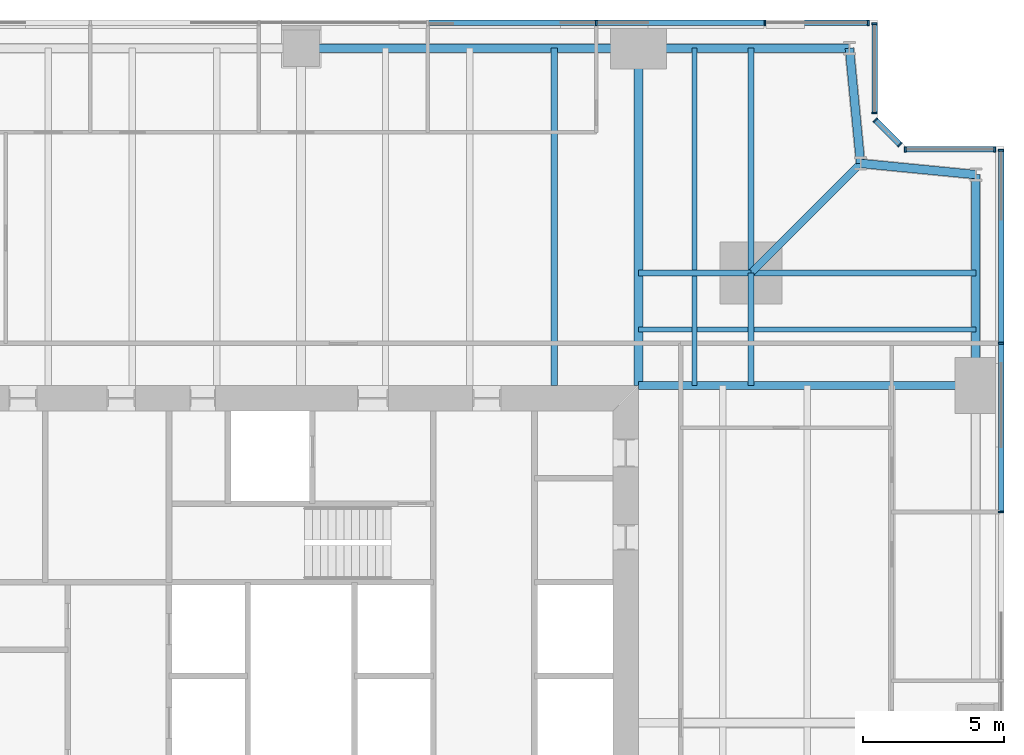
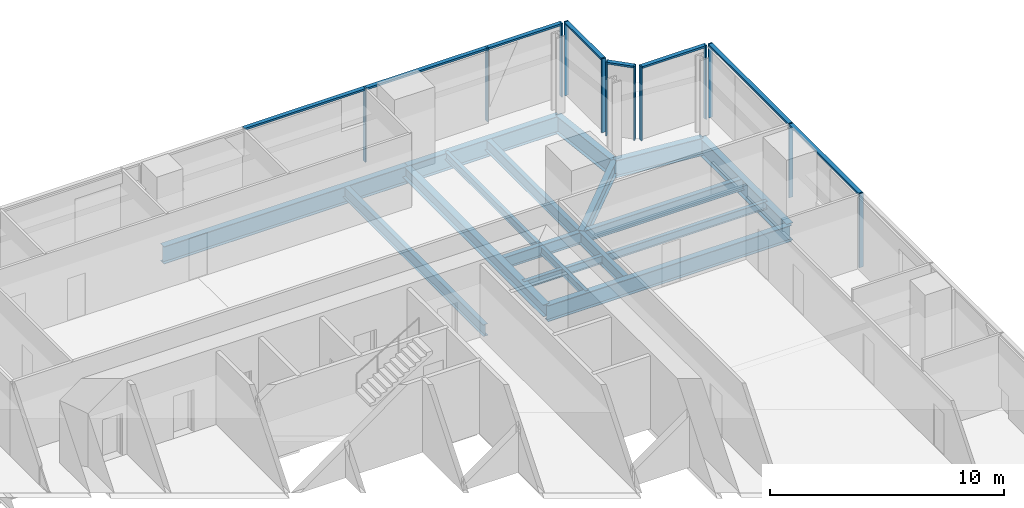
# One storey, part 7 of 14: 20 members, 18 beams, 5 elements without a shape of their own.
"""IFC4 building model written with IfcOpenShell, lengths in metres."""

from ifc_helpers import new_model, si_unit, direction, frame, origin, origin_2d, place, context, subcontext, project, spatial, rectangle, i_section, extrude, material, material_profile, profile_set, type_object, element, aggregate, save


model = new_model("IFC4")

# Units and contexts
model_context = context("Model", 3, precision=1e-05, world=origin(), true_north=direction((0.0, 1.0)))
body_context = subcontext(model_context, "Body", "Model", "MODEL_VIEW")
ifc_project = project(units=[si_unit("LENGTHUNIT", "METRE"), si_unit("AREAUNIT", "SQUARE_METRE"), si_unit("VOLUMEUNIT", "CUBIC_METRE"), si_unit("PLANEANGLEUNIT", "RADIAN"), si_unit("MASSUNIT", "GRAM", prefix="KILO")], contexts=[model_context])

# Site, building, storey
site_placement = place(None, origin())
site = spatial("IfcSite", under=ifc_project, at=site_placement, CompositionType="ELEMENT")
building_placement = place(site_placement, origin())
building = spatial("IfcBuilding", under=site, at=building_placement, Name="Fenwick Lantern Interchange", CompositionType="ELEMENT")
storey_placement = place(building_placement, frame((0.0, 0.0, 134.39990234375)))
storey = spatial("IfcBuildingStorey", under=building, at=storey_placement, Name="L31", CompositionType="ELEMENT", Elevation=134.39990234375)

# Beams
ifc_material_1 = material(Name="Steel ASTM A992 Grade 50", Category="steel")
ifc_material_profile_1 = material_profile(ifc_material_1, i_section(OverallWidth=0.3046875, OverallDepth=0.911865234375, WebThickness=0.015869140625, FlangeThickness=0.02392578125, at=origin_2d()), Name="W36X150")
ifc_profile_set_1 = profile_set([ifc_material_profile_1], Name="Steel ASTM A992 Grade 50")
beam_type_1 = type_object("IfcBeamType", Name="EDGE BEAM W36X150", PredefinedType="SPANDREL", material=ifc_profile_set_1)
beam_1_placement = place(storey_placement, frame((49.0, 37.0, -0.605712890625), z_axis=(0.0, 1.0, 0.0), x_axis=(-1.0, 0.0, 0.0)))
element("IfcBeam", 1, at=beam_1_placement, inside=storey, type_object=beam_type_1, Name="L31/FR/E/EB4", PredefinedType="SPANDREL", context=body_context, shape_type="SweptSolid", body=[
    extrude(i_section(OverallWidth=0.3046875, OverallDepth=0.911865234375, WebThickness=0.015869140625, FlangeThickness=0.02392578125, at=origin_2d()), origin(), (0.0, 0.0, 1.0), 7.5),
])
for number, where, z_axis, x_axis, name in (
    (2, (49.0, 44.5, -0.605712890625), (-0.995277148028, 0.097074191287, 0.0), (-0.097074191287, -0.995277148028, 0.0), "L31/FR/E/EBR1"),
    (3, (44.89990234375, 44.89990234375, -0.605712890625), (-0.097074191287, 0.995277148028, 0.0), (-0.995277148028, -0.097074191287, 0.0), "L31/FR/E/EBR2"),
):
    element("IfcBeam", number, at=place(storey_placement, frame(where, z_axis=z_axis, x_axis=x_axis)), inside=storey, type_object=beam_type_1, Name=name, PredefinedType="SPANDREL", context=body_context, shape_type="SweptSolid", body=[
        extrude(i_section(OverallWidth=0.3046875, OverallDepth=0.911865234375, WebThickness=0.015869140625, FlangeThickness=0.02392578125, at=origin_2d()), origin(), (0.0, 0.0, 1.0), 4.11962890625),
    ])
beam_2_placement = place(storey_placement, frame((44.5, 49.0, -0.605712890625), z_axis=(-1.0, 0.0, 0.0), x_axis=(0.0, -1.0, 0.0)))
element("IfcBeam", 4, at=beam_2_placement, inside=storey, type_object=beam_type_1, Name="L31/FR/N/EB1", PredefinedType="SPANDREL", context=body_context, shape_type="SweptSolid", body=[
    extrude(i_section(OverallWidth=0.3046875, OverallDepth=0.911865234375, WebThickness=0.015869140625, FlangeThickness=0.02392578125, at=origin_2d()), origin(), (0.0, 0.0, 1.0), 7.5),
])
beam_3_placement = place(storey_placement, frame((37.0, 49.0, -0.605712890625), z_axis=(-1.0, 0.0, 0.0), x_axis=(0.0, -1.0, 0.0)))
element("IfcBeam", 5, at=beam_3_placement, inside=storey, type_object=beam_type_1, Name="L31/FR/N/EB2", PredefinedType="SPANDREL", context=body_context, shape_type="SweptSolid", body=[
    extrude(i_section(OverallWidth=0.3046875, OverallDepth=0.911865234375, WebThickness=0.015869140625, FlangeThickness=0.02392578125, at=origin_2d()), origin(), (0.0, 0.0, 1.0), 12.0),
])
ifc_material_profile_2 = material_profile(ifc_material_1, i_section(OverallWidth=0.22900390625, OverallDepth=0.612060546875, WebThickness=0.011962890625, FlangeThickness=0.01953125, at=origin_2d()), Name="W24X84")
ifc_profile_set_2 = profile_set([ifc_material_profile_2], Name="Steel ASTM A992 Grade 50")
beam_type_2 = type_object("IfcBeamType", Name="FLOOR BEAM W24X84", PredefinedType="BEAM", material=ifc_profile_set_2)
beam_4_placement = place(storey_placement, frame((34.0, 49.0, -0.4560546875), z_axis=(0.0, -1.0, 0.0), x_axis=(1.0, 0.0, 0.0)))
element("IfcBeam", 6, at=beam_4_placement, inside=storey, type_object=beam_type_2, Name="L31/FR/N/R02", PredefinedType="BEAM", context=body_context, shape_type="SweptSolid", body=[
    extrude(i_section(OverallWidth=0.22900390625, OverallDepth=0.612060546875, WebThickness=0.011962890625, FlangeThickness=0.01953125, at=origin_2d()), origin(), (0.0, 0.0, 1.0), 12.0),
])
ifc_material_profile_3 = material_profile(ifc_material_1, i_section(OverallWidth=0.177734375, OverallDepth=0.406494140625, WebThickness=0.0078125, FlangeThickness=0.012939453125, at=origin_2d()), Name="W16X40")
ifc_profile_set_3 = profile_set([ifc_material_profile_3], Name="Steel ASTM A992 Grade 50")
beam_type_3 = type_object("IfcBeamType", Name="INFILL BEAM W16X40", PredefinedType="JOIST", material=ifc_profile_set_3)
beam_5_placement = place(storey_placement, frame((39.0, 49.0, -0.35302734375), z_axis=(0.0, -1.0, 0.0), x_axis=(1.0, 0.0, 0.0)))
element("IfcBeam", 7, at=beam_5_placement, inside=storey, type_object=beam_type_3, Name="L31/FR/N/J1", PredefinedType="JOIST", context=body_context, shape_type="SweptSolid", body=[
    extrude(i_section(OverallWidth=0.177734375, OverallDepth=0.406494140625, WebThickness=0.0078125, FlangeThickness=0.012939453125, at=origin_2d()), origin(), (0.0, 0.0, 1.0), 7.885498046875),
])
beam_6_placement = place(storey_placement, frame((39.0, 40.885498046875, -0.35302734375), z_axis=(0.0, -1.0, 0.0), x_axis=(1.0, 0.0, 0.0)))
element("IfcBeam", 8, at=beam_6_placement, inside=storey, type_object=beam_type_3, Name="L31/FR/N/J2", PredefinedType="JOIST", context=body_context, shape_type="SweptSolid", body=[
    extrude(i_section(OverallWidth=0.177734375, OverallDepth=0.406494140625, WebThickness=0.0078125, FlangeThickness=0.012939453125, at=origin_2d()), origin(), (0.0, 0.0, 1.0), 3.885498046875),
])
beam_7_placement = place(storey_placement, frame((49.0, 39.0, -0.35302734375), z_axis=(-1.0, 0.0, 0.0), x_axis=(0.0, -1.0, 0.0)))
element("IfcBeam", 9, at=beam_7_placement, inside=storey, type_object=beam_type_3, Name="L31/FR/N/J3", PredefinedType="JOIST", context=body_context, shape_type="SweptSolid", body=[
    extrude(i_section(OverallWidth=0.177734375, OverallDepth=0.406494140625, WebThickness=0.0078125, FlangeThickness=0.012939453125, at=origin_2d()), origin(), (0.0, 0.0, 1.0), 7.885498046875),
])
beam_8_placement = place(storey_placement, frame((40.885498046875, 39.0, -0.35302734375), z_axis=(-1.0, 0.0, 0.0), x_axis=(0.0, -1.0, 0.0)))
element("IfcBeam", 10, at=beam_8_placement, inside=storey, type_object=beam_type_3, Name="L31/FR/N/J4", PredefinedType="JOIST", context=body_context, shape_type="SweptSolid", body=[
    extrude(i_section(OverallWidth=0.177734375, OverallDepth=0.406494140625, WebThickness=0.0078125, FlangeThickness=0.012939453125, at=origin_2d()), origin(), (0.0, 0.0, 1.0), 1.796630859375),
])
beam_9_placement = place(storey_placement, frame((38.9111328125, 39.0, -0.35302734375), z_axis=(-1.0, 0.0, 0.0), x_axis=(0.0, -1.0, 0.0)))
element("IfcBeam", 11, at=beam_9_placement, inside=storey, type_object=beam_type_3, Name="L31/FR/N/J5", PredefinedType="JOIST", context=body_context, shape_type="SweptSolid", body=[
    extrude(i_section(OverallWidth=0.177734375, OverallDepth=0.406494140625, WebThickness=0.0078125, FlangeThickness=0.012939453125, at=origin_2d()), origin(), (0.0, 0.0, 1.0), 1.9111328125),
])
ifc_material_profile_4 = material_profile(ifc_material_1, i_section(OverallWidth=0.22900390625, OverallDepth=0.612060546875, WebThickness=0.011962890625, FlangeThickness=0.01953125, at=origin_2d()), Name="W24X84")
ifc_profile_set_4 = profile_set([ifc_material_profile_4], Name="Steel ASTM A992 Grade 50")
beam_type_4 = type_object("IfcBeamType", Name="MEGA COLUMN BEAM W24X84", PredefinedType="BEAM", material=ifc_profile_set_4)
for number, where, z_axis, x_axis, name in (
    (12, (41.0, 41.0, -0.4560546875), (0.0, 1.0, 0.0), (-1.0, 0.0, 0.0), "L31/FR/N/MB1"),
    (13, (41.0, 41.0, -0.4560546875), (1.0, 0.0, 0.0), (0.0, 1.0, 0.0), "L31/FR/N/MB2"),
):
    element("IfcBeam", number, at=place(storey_placement, frame(where, z_axis=z_axis, x_axis=x_axis)), inside=storey, type_object=beam_type_4, Name=name, PredefinedType="BEAM", context=body_context, shape_type="SweptSolid", body=[
        extrude(i_section(OverallWidth=0.22900390625, OverallDepth=0.612060546875, WebThickness=0.011962890625, FlangeThickness=0.01953125, at=origin_2d()), origin(), (0.0, 0.0, 1.0), 8.0),
    ])
for number, where, z_axis, x_axis, name in (
    (14, (41.0, 41.0, -0.4560546875), (-1.0, 0.0, 0.0), (0.0, -1.0, 0.0), "L31/FR/N/MB3"),
    (15, (41.0, 41.0, -0.4560546875), (0.0, -1.0, 0.0), (1.0, 0.0, 0.0), "L31/FR/N/MB4"),
):
    element("IfcBeam", number, at=place(storey_placement, frame(where, z_axis=z_axis, x_axis=x_axis)), inside=storey, type_object=beam_type_4, Name=name, PredefinedType="BEAM", context=body_context, shape_type="SweptSolid", body=[
        extrude(i_section(OverallWidth=0.22900390625, OverallDepth=0.612060546875, WebThickness=0.011962890625, FlangeThickness=0.01953125, at=origin_2d()), origin(), (0.0, 0.0, 1.0), 4.0),
    ])
ifc_material_profile_5 = material_profile(ifc_material_1, i_section(OverallWidth=0.32763671875, OverallDepth=0.622314453125, WebThickness=0.015380859375, FlangeThickness=0.0244140625, at=origin_2d()), Name="W24X131")
ifc_profile_set_5 = profile_set([ifc_material_profile_5], Name="Steel ASTM A992 Grade 50")
beam_type_5 = type_object("IfcBeamType", Name="MOMENT-CONNECTED GIRDER W24X131", PredefinedType="BEAM", material=ifc_profile_set_5)
beam_10_placement = place(storey_placement, frame((37.0, 49.0, -0.4609375), z_axis=(0.0, -1.0, 0.0), x_axis=(1.0, 0.0, 0.0)))
element("IfcBeam", 16, at=beam_10_placement, inside=storey, type_object=beam_type_5, Name="L31/FR/N/R01", PredefinedType="BEAM", context=body_context, shape_type="SweptSolid", body=[
    extrude(i_section(OverallWidth=0.32763671875, OverallDepth=0.622314453125, WebThickness=0.015380859375, FlangeThickness=0.0244140625, at=origin_2d()), origin(), (0.0, 0.0, 1.0), 12.0),
])
ifc_material_profile_6 = material_profile(ifc_material_1, i_section(OverallWidth=0.2919921875, OverallDepth=0.845703125, WebThickness=0.015380859375, FlangeThickness=0.0244140625, at=origin_2d()), Name="W33X141")
ifc_profile_set_6 = profile_set([ifc_material_profile_6], Name="Steel ASTM A992 Grade 50")
beam_type_6 = type_object("IfcBeamType", Name="MOMENT-CONNECTED GIRDER W33X141", PredefinedType="BEAM", material=ifc_profile_set_6)
beam_11_placement = place(storey_placement, frame((49.0, 37.0, -0.57275390625), z_axis=(-1.0, 0.0, 0.0), x_axis=(0.0, -1.0, 0.0)))
element("IfcBeam", 17, at=beam_11_placement, inside=storey, type_object=beam_type_6, Name="L31/FR/E/R03", PredefinedType="BEAM", context=body_context, shape_type="SweptSolid", body=[
    extrude(i_section(OverallWidth=0.2919921875, OverallDepth=0.845703125, WebThickness=0.015380859375, FlangeThickness=0.0244140625, at=origin_2d()), origin(), (0.0, 0.0, 1.0), 12.0),
])
ifc_material_profile_7 = material_profile(ifc_material_1, i_section(OverallWidth=0.2666015625, OverallDepth=0.7568359375, WebThickness=0.013916015625, FlangeThickness=0.019287109375, at=origin_2d()), Name="W30X108")
ifc_profile_set_7 = profile_set([ifc_material_profile_7], Name="Steel ASTM A992 Grade 50")
beam_type_7 = type_object("IfcBeamType", Name="NOTCH BEAM W30X108", PredefinedType="BEAM", material=ifc_profile_set_7)
beam_12_placement = place(storey_placement, frame((41.0, 41.0, -0.5283203125), z_axis=(0.707106781187, 0.707106781187, 0.0), x_axis=(-0.707106781187, 0.707106781187, 0.0)))
element("IfcBeam", 18, at=beam_12_placement, inside=storey, type_object=beam_type_7, Name="L31/FR/N/TG", PredefinedType="BEAM", context=body_context, shape_type="SweptSolid", body=[
    extrude(i_section(OverallWidth=0.2666015625, OverallDepth=0.7568359375, WebThickness=0.013916015625, FlangeThickness=0.019287109375, at=origin_2d()), origin(), (0.0, 0.0, 1.0), 5.515380859375),
])

# Curtain wall, members
ifc_material_2 = material(Name="Aluminium curtain wall frame", Category="aluminium")
curtain_wall_type = type_object("IfcCurtainWallType", Name="OFFICE CURTAIN WALL", PredefinedType="USERDEFINED", material=ifc_material_2)
curtain_wall_1_placement = place(storey_placement, origin())
curtain_wall_1 = element("IfcCurtainWall", 19, at=curtain_wall_1_placement, inside=storey, type_object=curtain_wall_type, Name="Office curtain wall 05", ObjectType="OFFICE CURTAIN WALL", PredefinedType="USERDEFINED")
ifc_material_3 = material(Name="Aluminium extrusion", Category="aluminium")
ifc_material_profile_8 = material_profile(ifc_material_3, rectangle(XDim=0.199951171875, YDim=0.06494140625, at=origin_2d()), Name="OFFICE CURTAIN WALL MULLION 65 X 200")
ifc_profile_set_8 = profile_set([ifc_material_profile_8], Name="Aluminium extrusion")
member_type_1 = type_object("IfcMemberType", Name="OFFICE CURTAIN WALL MULLION 65 X 200", PredefinedType="MULLION", material=ifc_profile_set_8)
member_1_placement = place(storey_placement, frame((49.89990234375, 32.5, 0.0), z_axis=(0.0, 0.0, 1.0), x_axis=(-1.0, 0.0, 0.0)))
member_1 = element("IfcMember", 20, at=member_1_placement, type_object=member_type_1, Name="L31/CW/05/M05", PredefinedType="MULLION", context=body_context, shape_type="SweptSolid", body=[
    extrude(rectangle(XDim=0.199951171875, YDim=0.06494140625, at=origin_2d()), origin(), (0.0, 0.0, 1.0), 3.85009765625),
])
member_2_placement = place(storey_placement, frame((49.89990234375, 38.5, 0.0), z_axis=(0.0, 0.0, 1.0), x_axis=(-1.0, 0.0, 0.0)))
member_2 = element("IfcMember", 21, at=member_2_placement, type_object=member_type_1, Name="L31/CW/05/M06", PredefinedType="MULLION", context=body_context, shape_type="SweptSolid", body=[
    extrude(rectangle(XDim=0.199951171875, YDim=0.06494140625, at=origin_2d()), origin(), (0.0, 0.0, 1.0), 3.85009765625),
])
member_3_placement = place(storey_placement, frame((49.89990234375, 45.367431640625, 0.0), z_axis=(0.0, 0.0, 1.0), x_axis=(-1.0, 0.0, 0.0)))
member_3 = element("IfcMember", 22, at=member_3_placement, type_object=member_type_1, Name="L31/CW/05/M07", PredefinedType="MULLION", context=body_context, shape_type="SweptSolid", body=[
    extrude(rectangle(XDim=0.199951171875, YDim=0.06494140625, at=origin_2d()), origin(), (0.0, 0.0, 1.0), 3.85009765625),
])

curtain_wall_2_placement = place(storey_placement, origin())
curtain_wall_2 = element("IfcCurtainWall", 23, at=curtain_wall_2_placement, inside=storey, type_object=curtain_wall_type, Name="Office curtain wall 06", ObjectType="OFFICE CURTAIN WALL", PredefinedType="USERDEFINED")
member_4_placement = place(storey_placement, frame((49.66748046875, 45.39990234375, 0.0), z_axis=(0.0, 0.0, 1.0), x_axis=(0.0, -1.0, 0.0)))
member_4 = element("IfcMember", 24, at=member_4_placement, type_object=member_type_1, Name="L31/CW/06/M00", PredefinedType="MULLION", context=body_context, shape_type="SweptSolid", body=[
    extrude(rectangle(XDim=0.199951171875, YDim=0.06494140625, at=origin_2d()), origin(), (0.0, 0.0, 1.0), 3.85009765625),
])
member_5_placement = place(storey_placement, frame((46.490966796875, 45.39990234375, 0.0), z_axis=(0.0, 0.0, 1.0), x_axis=(0.0, -1.0, 0.0)))
member_5 = element("IfcMember", 25, at=member_5_placement, type_object=member_type_1, Name="L31/CW/06/M01", PredefinedType="MULLION", context=body_context, shape_type="SweptSolid", body=[
    extrude(rectangle(XDim=0.199951171875, YDim=0.06494140625, at=origin_2d()), origin(), (0.0, 0.0, 1.0), 3.85009765625),
])

curtain_wall_3_placement = place(storey_placement, origin())
curtain_wall_3 = element("IfcCurtainWall", 26, at=curtain_wall_3_placement, inside=storey, type_object=curtain_wall_type, Name="Office curtain wall 07", ObjectType="OFFICE CURTAIN WALL", PredefinedType="USERDEFINED")
member_6_placement = place(storey_placement, frame((46.294189453125, 45.564453125, 0.0), z_axis=(0.0, 0.0, 1.0), x_axis=(-0.707106781187, -0.707106781187, 0.0)))
member_6 = element("IfcMember", 27, at=member_6_placement, type_object=member_type_1, Name="L31/CW/07/M00", PredefinedType="MULLION", context=body_context, shape_type="SweptSolid", body=[
    extrude(rectangle(XDim=0.199951171875, YDim=0.06494140625, at=origin_2d()), origin(), (0.0, 0.0, 1.0), 3.85009765625),
])
member_7_placement = place(storey_placement, frame((45.423095703125, 46.435546875, 0.0), z_axis=(0.0, 0.0, 1.0), x_axis=(-0.707106781187, -0.707106781187, 0.0)))
member_7 = element("IfcMember", 28, at=member_7_placement, type_object=member_type_1, Name="L31/CW/07/M01", PredefinedType="MULLION", context=body_context, shape_type="SweptSolid", body=[
    extrude(rectangle(XDim=0.199951171875, YDim=0.06494140625, at=origin_2d()), origin(), (0.0, 0.0, 1.0), 3.85009765625),
])

curtain_wall_4_placement = place(storey_placement, origin())
curtain_wall_4 = element("IfcCurtainWall", 29, at=curtain_wall_4_placement, inside=storey, type_object=curtain_wall_type, Name="Office curtain wall 08", ObjectType="OFFICE CURTAIN WALL", PredefinedType="USERDEFINED")
member_8_placement = place(storey_placement, frame((45.39990234375, 46.691162109375, 0.0), z_axis=(0.0, 0.0, 1.0), x_axis=(-1.0, 0.0, 0.0)))
member_8 = element("IfcMember", 30, at=member_8_placement, type_object=member_type_1, Name="L31/CW/08/M00", PredefinedType="MULLION", context=body_context, shape_type="SweptSolid", body=[
    extrude(rectangle(XDim=0.199951171875, YDim=0.06494140625, at=origin_2d()), origin(), (0.0, 0.0, 1.0), 3.85009765625),
])
member_9_placement = place(storey_placement, frame((45.39990234375, 49.867431640625, 0.0), z_axis=(0.0, 0.0, 1.0), x_axis=(-1.0, 0.0, 0.0)))
member_9 = element("IfcMember", 31, at=member_9_placement, type_object=member_type_1, Name="L31/CW/08/M01", PredefinedType="MULLION", context=body_context, shape_type="SweptSolid", body=[
    extrude(rectangle(XDim=0.199951171875, YDim=0.06494140625, at=origin_2d()), origin(), (0.0, 0.0, 1.0), 3.85009765625),
])

curtain_wall_5_placement = place(storey_placement, origin())
curtain_wall_5 = element("IfcCurtainWall", 32, at=curtain_wall_5_placement, inside=storey, type_object=curtain_wall_type, Name="Office curtain wall 09", ObjectType="OFFICE CURTAIN WALL", PredefinedType="USERDEFINED")
member_10_placement = place(storey_placement, frame((45.16748046875, 49.89990234375, 0.0), z_axis=(0.0, 0.0, 1.0), x_axis=(0.0, -1.0, 0.0)))
member_10 = element("IfcMember", 33, at=member_10_placement, type_object=member_type_1, Name="L31/CW/09/M00", PredefinedType="MULLION", context=body_context, shape_type="SweptSolid", body=[
    extrude(rectangle(XDim=0.199951171875, YDim=0.06494140625, at=origin_2d()), origin(), (0.0, 0.0, 1.0), 3.85009765625),
])
member_11_placement = place(storey_placement, frame((41.5, 49.89990234375, 0.0), z_axis=(0.0, 0.0, 1.0), x_axis=(0.0, -1.0, 0.0)))
member_11 = element("IfcMember", 34, at=member_11_placement, type_object=member_type_1, Name="L31/CW/09/M01", PredefinedType="MULLION", context=body_context, shape_type="SweptSolid", body=[
    extrude(rectangle(XDim=0.199951171875, YDim=0.06494140625, at=origin_2d()), origin(), (0.0, 0.0, 1.0), 3.85009765625),
])
member_12_placement = place(storey_placement, frame((35.5, 49.89990234375, 0.0), z_axis=(0.0, 0.0, 1.0), x_axis=(0.0, -1.0, 0.0)))
member_12 = element("IfcMember", 35, at=member_12_placement, type_object=member_type_1, Name="L31/CW/09/M02", PredefinedType="MULLION", context=body_context, shape_type="SweptSolid", body=[
    extrude(rectangle(XDim=0.199951171875, YDim=0.06494140625, at=origin_2d()), origin(), (0.0, 0.0, 1.0), 3.85009765625),
])

# Member
ifc_material_profile_9 = material_profile(ifc_material_3, rectangle(XDim=0.199951171875, YDim=0.10009765625, at=origin_2d()), Name="OFFICE CURTAIN WALL TRANSOM 100 X 200")
ifc_profile_set_9 = profile_set([ifc_material_profile_9], Name="Aluminium extrusion")
member_type_2 = type_object("IfcMemberType", Name="OFFICE CURTAIN WALL TRANSOM 100 X 200", PredefinedType="MULLION", material=ifc_profile_set_9)
member_13_placement = place(storey_placement, frame((49.89990234375, 32.532470703125, 3.800048828125), z_axis=(0.0, 1.0, 0.0), x_axis=(-1.0, 0.0, 0.0)))
member_13 = element("IfcMember", 36, at=member_13_placement, type_object=member_type_2, Name="L31/CW/05/T05", PredefinedType="MULLION", context=body_context, shape_type="SweptSolid", body=[
    extrude(rectangle(XDim=0.199951171875, YDim=0.10009765625, at=origin_2d()), origin(), (0.0, 0.0, 1.0), 5.93505859375),
])

member_14_placement = place(storey_placement, frame((49.89990234375, 38.532470703125, 3.800048828125), z_axis=(0.0, 1.0, 0.0), x_axis=(-1.0, 0.0, 0.0)))
member_14 = element("IfcMember", 37, at=member_14_placement, type_object=member_type_2, Name="L31/CW/05/T06", PredefinedType="MULLION", context=body_context, shape_type="SweptSolid", body=[
    extrude(rectangle(XDim=0.199951171875, YDim=0.10009765625, at=origin_2d()), origin(), (0.0, 0.0, 1.0), 6.802490234375),
])

aggregate(curtain_wall_1, [member_1, member_2, member_3, member_13, member_14])

member_15_placement = place(storey_placement, frame((49.635009765625, 45.39990234375, 3.800048828125), z_axis=(-1.0, 0.0, 0.0), x_axis=(0.0, -1.0, 0.0)))
member_15 = element("IfcMember", 38, at=member_15_placement, type_object=member_type_2, Name="L31/CW/06/T00", PredefinedType="MULLION", context=body_context, shape_type="SweptSolid", body=[
    extrude(rectangle(XDim=0.199951171875, YDim=0.10009765625, at=origin_2d()), origin(), (0.0, 0.0, 1.0), 3.111328125),
])

aggregate(curtain_wall_2, [member_4, member_5, member_15])

member_16_placement = place(storey_placement, frame((46.271240234375, 45.58740234375, 3.800048828125), z_axis=(-0.707106781187, 0.707106781187, 0.0), x_axis=(-0.707106781187, -0.707106781187, 0.0)))
member_16 = element("IfcMember", 39, at=member_16_placement, type_object=member_type_2, Name="L31/CW/07/T00", PredefinedType="MULLION", context=body_context, shape_type="SweptSolid", body=[
    extrude(rectangle(XDim=0.199951171875, YDim=0.10009765625, at=origin_2d()), origin(), (0.0, 0.0, 1.0), 1.1669921875),
])

aggregate(curtain_wall_3, [member_6, member_7, member_16])

member_17_placement = place(storey_placement, frame((45.39990234375, 46.7236328125, 3.800048828125), z_axis=(0.0, 1.0, 0.0), x_axis=(-1.0, 0.0, 0.0)))
member_17 = element("IfcMember", 40, at=member_17_placement, type_object=member_type_2, Name="L31/CW/08/T00", PredefinedType="MULLION", context=body_context, shape_type="SweptSolid", body=[
    extrude(rectangle(XDim=0.199951171875, YDim=0.10009765625, at=origin_2d()), origin(), (0.0, 0.0, 1.0), 3.111328125),
])

aggregate(curtain_wall_4, [member_8, member_9, member_17])

member_18_placement = place(storey_placement, frame((45.135009765625, 49.89990234375, 3.800048828125), z_axis=(-1.0, 0.0, 0.0), x_axis=(0.0, -1.0, 0.0)))
member_18 = element("IfcMember", 41, at=member_18_placement, type_object=member_type_2, Name="L31/CW/09/T00", PredefinedType="MULLION", context=body_context, shape_type="SweptSolid", body=[
    extrude(rectangle(XDim=0.199951171875, YDim=0.10009765625, at=origin_2d()), origin(), (0.0, 0.0, 1.0), 3.6025390625),
])

member_19_placement = place(storey_placement, frame((41.467529296875, 49.89990234375, 3.800048828125), z_axis=(-1.0, 0.0, 0.0), x_axis=(0.0, -1.0, 0.0)))
member_19 = element("IfcMember", 42, at=member_19_placement, type_object=member_type_2, Name="L31/CW/09/T01", PredefinedType="MULLION", context=body_context, shape_type="SweptSolid", body=[
    extrude(rectangle(XDim=0.199951171875, YDim=0.10009765625, at=origin_2d()), origin(), (0.0, 0.0, 1.0), 5.93505859375),
])

member_20_placement = place(storey_placement, frame((35.467529296875, 49.89990234375, 3.800048828125), z_axis=(-1.0, 0.0, 0.0), x_axis=(0.0, -1.0, 0.0)))
member_20 = element("IfcMember", 43, at=member_20_placement, type_object=member_type_2, Name="L31/CW/09/T02", PredefinedType="MULLION", context=body_context, shape_type="SweptSolid", body=[
    extrude(rectangle(XDim=0.199951171875, YDim=0.10009765625, at=origin_2d()), origin(), (0.0, 0.0, 1.0), 5.93505859375),
])

aggregate(curtain_wall_5, [member_10, member_11, member_12, member_18, member_19, member_20])

save(model, "model.ifc")
